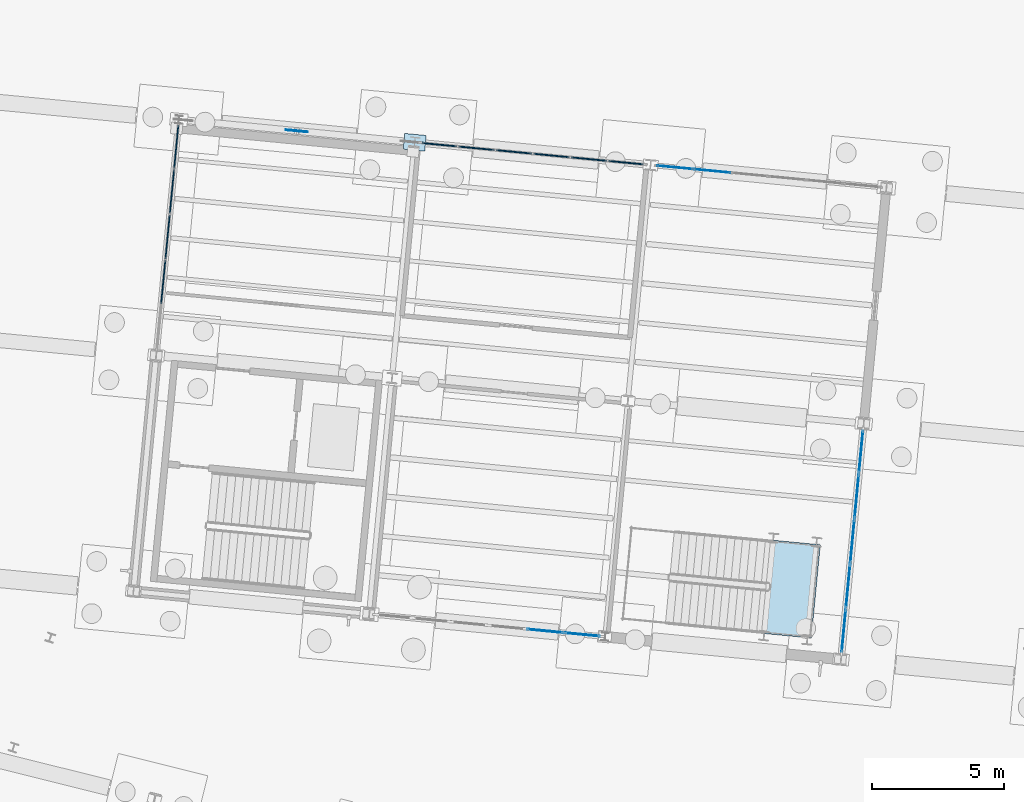
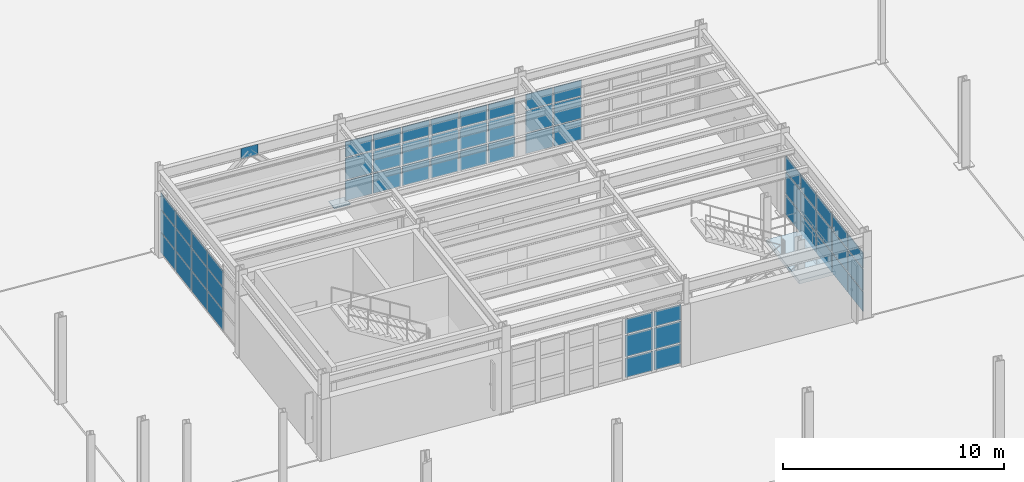
# One storey, part 66 of 108: 59 plates, 1 slab, 6 elements without a shape of their own.
"""IFC4 building model written with IfcOpenShell, lengths in metres."""

from ifc_helpers import new_model, si_unit, direction, frame, origin, origin_2d, place, context, subcontext, project, spatial, polyline, rectangle, outline, extrude, material, layer, layer_set, type_object, element, aggregate, save


model = new_model("IFC4")

# Units and contexts
model_context = context("Model", 3, precision=1e-05, world=origin(), true_north=direction((0.0, 1.0)))
body_context = subcontext(model_context, "Body", "Model", "MODEL_VIEW")
ifc_project = project(units=[si_unit("LENGTHUNIT", "METRE"), si_unit("AREAUNIT", "SQUARE_METRE"), si_unit("VOLUMEUNIT", "CUBIC_METRE"), si_unit("PLANEANGLEUNIT", "RADIAN"), si_unit("MASSUNIT", "GRAM", prefix="KILO")], contexts=[model_context])

# Site, building, storey
site_placement = place(None, origin())
site = spatial("IfcSite", under=ifc_project, at=site_placement, CompositionType="ELEMENT")
building_placement = place(site_placement, origin())
building = spatial("IfcBuilding", under=site, at=building_placement, Name="Vireo Bluff Cable Station", CompositionType="ELEMENT")
storey_placement = place(building_placement, origin())
storey = spatial("IfcBuildingStorey", under=building, at=storey_placement, Name="L00", CompositionType="ELEMENT", Elevation=0.0)

# Plate
ifc_material_1 = material(Name="Steel ASTM A572 Gr. 50", Category="steel")
ifc_layer_1 = layer(ifc_material_1, 0.052001953125, Name="Steel ASTM A572 Gr. 50")
ifc_layer_set_1 = layer_set([ifc_layer_1], Name="Steel ASTM A572 Gr. 50")
plate_type_1 = type_object("IfcPlateType", Name="BASEPLATE-820X600X52", PredefinedType="SHEET", material=ifc_layer_set_1)
plate_1_placement = place(storey_placement, frame((78.421875, 84.058349609375, 0.0), z_axis=(0.0, 0.0, 1.0), x_axis=(0.995396198367, -0.09584575252, 0.0)))
element("IfcPlate", 1, at=plate_1_placement, inside=storey, type_object=plate_type_1, Name="V3 column baseplate 127", PredefinedType="SHEET", context=body_context, shape_type="SweptSolid", body=[
    extrude(rectangle(XDim=0.820068359375, YDim=0.60009765625, at=origin_2d()), origin(), (0.0, 0.0, 1.0), 0.052001953125),
])

# Curtain wall, plates
ifc_material_2 = material(Name="Anodized Aluminium 6063-T6", Category="aluminium")
ifc_layer_2 = layer(ifc_material_2, 0.179931640625, Name="Anodized Aluminium 6063-T6")
ifc_layer_set_2 = layer_set([ifc_layer_2], Name="Anodized Aluminium 6063-T6")
curtain_wall_type_1 = type_object("IfcCurtainWallType", Name="CW-UNIT-1500", PredefinedType="USERDEFINED", material=ifc_layer_set_2)
curtain_wall_1_placement = place(storey_placement, origin())
curtain_wall_1 = element("IfcCurtainWall", 2, at=curtain_wall_1_placement, inside=storey, type_object=curtain_wall_type_1, Name="V3 L00 north curtain wall CW-070", ObjectType="UNITISED CURTAIN WALL", PredefinedType="USERDEFINED")
ifc_material_3 = material(Name="Laminated Low-E Insulated Glass", Category="glass")
ifc_layer_3 = layer(ifc_material_3, 0.028076171875, Name="Laminated Low-E Insulated Glass")
ifc_layer_set_3 = layer_set([ifc_layer_3], Name="Laminated Low-E Insulated Glass")
plate_type_2 = type_object("IfcPlateType", Name="CWP-28-1", PredefinedType="CURTAIN_PANEL", material=ifc_layer_set_3)
plate_2_placement = place(storey_placement, frame((88.3095703125, 83.106201171875, 0.06005859375), z_axis=(0.0, 0.0, 1.0), x_axis=(0.995396205524, -0.095845678199, 0.0)))
plate_2 = element("IfcPlate", 3, at=plate_2_placement, type_object=plate_type_2, Name="CW-070 panel 1.1", PredefinedType="CURTAIN_PANEL", context=body_context, shape_type="SweptSolid", body=[
    extrude(rectangle(XDim=1.342041015625, YDim=0.028076171875, at=origin_2d()), origin(), (0.0, 0.0, 1.0), 1.10009765625),
])
plate_3_placement = place(storey_placement, frame((88.3095703125, 83.106201171875, 1.22021484375), z_axis=(0.0, 0.0, 1.0), x_axis=(0.995396205524, -0.095845678199, 0.0)))
plate_3 = element("IfcPlate", 4, at=plate_3_placement, type_object=plate_type_2, Name="CW-070 panel 1.2", PredefinedType="CURTAIN_PANEL", context=body_context, shape_type="SweptSolid", body=[
    extrude(rectangle(XDim=1.342041015625, YDim=0.028076171875, at=origin_2d()), origin(), (0.0, 0.0, 1.0), 1.197998046875),
])
plate_4_placement = place(storey_placement, frame((88.3095703125, 83.106201171875, 2.47802734375), z_axis=(0.0, 0.0, 1.0), x_axis=(0.995396205524, -0.095845678199, 0.0)))
plate_4 = element("IfcPlate", 5, at=plate_4_placement, type_object=plate_type_2, Name="CW-070 panel 1.3", PredefinedType="CURTAIN_PANEL", context=body_context, shape_type="SweptSolid", body=[
    extrude(rectangle(XDim=1.342041015625, YDim=0.028076171875, at=origin_2d()), origin(), (0.0, 0.0, 1.0), 0.862060546875),
])
plate_5_placement = place(storey_placement, frame((89.72021484375, 82.970458984375, 0.06005859375), z_axis=(0.0, 0.0, 1.0), x_axis=(0.995396205524, -0.095845678199, 0.0)))
plate_5 = element("IfcPlate", 6, at=plate_5_placement, type_object=plate_type_2, Name="CW-070 panel 2.1", PredefinedType="CURTAIN_PANEL", context=body_context, shape_type="SweptSolid", body=[
    extrude(rectangle(XDim=1.3720703125, YDim=0.028076171875, at=origin_2d()), origin(), (0.0, 0.0, 1.0), 1.10009765625),
])
plate_6_placement = place(storey_placement, frame((89.72021484375, 82.970458984375, 1.22021484375), z_axis=(0.0, 0.0, 1.0), x_axis=(0.995396205524, -0.095845678199, 0.0)))
plate_6 = element("IfcPlate", 7, at=plate_6_placement, type_object=plate_type_2, Name="CW-070 panel 2.2", PredefinedType="CURTAIN_PANEL", context=body_context, shape_type="SweptSolid", body=[
    extrude(rectangle(XDim=1.3720703125, YDim=0.028076171875, at=origin_2d()), origin(), (0.0, 0.0, 1.0), 1.197998046875),
])
plate_7_placement = place(storey_placement, frame((89.72021484375, 82.970458984375, 2.47802734375), z_axis=(0.0, 0.0, 1.0), x_axis=(0.995396205524, -0.095845678199, 0.0)))
plate_7 = element("IfcPlate", 8, at=plate_7_placement, type_object=plate_type_2, Name="CW-070 panel 2.3", PredefinedType="CURTAIN_PANEL", context=body_context, shape_type="SweptSolid", body=[
    extrude(rectangle(XDim=1.3720703125, YDim=0.028076171875, at=origin_2d()), origin(), (0.0, 0.0, 1.0), 0.862060546875),
])
aggregate(curtain_wall_1, [plate_2, plate_3, plate_4, plate_5, plate_6, plate_7])

ifc_layer_4 = layer(ifc_material_2, 0.179931640625, Name="Anodized Aluminium 6063-T6")
ifc_layer_set_4 = layer_set([ifc_layer_4], Name="Anodized Aluminium 6063-T6")
curtain_wall_type_2 = type_object("IfcCurtainWallType", Name="CW-UNIT-1650", PredefinedType="USERDEFINED", material=ifc_layer_set_4)
curtain_wall_2_placement = place(storey_placement, origin())
curtain_wall_2 = element("IfcCurtainWall", 9, at=curtain_wall_2_placement, inside=storey, type_object=curtain_wall_type_2, Name="V3 L00 east curtain wall CW-071", ObjectType="UNITISED CURTAIN WALL", PredefinedType="USERDEFINED")
ifc_layer_5 = layer(ifc_material_3, 0.031982421875, Name="Laminated Low-E Insulated Glass")
ifc_layer_set_5 = layer_set([ifc_layer_5], Name="Laminated Low-E Insulated Glass")
plate_type_3 = type_object("IfcPlateType", Name="CWP-32-2", PredefinedType="CURTAIN_PANEL", material=ifc_layer_set_5)
plate_8_placement = place(storey_placement, frame((95.372802734375, 72.29931640625, 0.080078125), z_axis=(0.0, 0.0, 1.0), x_axis=(-0.095845836796, -0.995396190252, 0.0)))
plate_8 = element("IfcPlate", 10, at=plate_8_placement, type_object=plate_type_3, Name="CW-071 panel 1.1", PredefinedType="CURTAIN_PANEL", context=body_context, shape_type="SweptSolid", body=[
    extrude(rectangle(XDim=1.59765625, YDim=0.031982421875, at=origin_2d()), origin(), (0.0, 0.0, 1.0), 1.070068359375),
])
plate_9_placement = place(storey_placement, frame((95.372802734375, 72.29931640625, 1.22998046875), z_axis=(0.0, 0.0, 1.0), x_axis=(-0.095845836796, -0.995396190252, 0.0)))
plate_9 = element("IfcPlate", 11, at=plate_9_placement, type_object=plate_type_3, Name="CW-071 panel 1.2", PredefinedType="CURTAIN_PANEL", context=body_context, shape_type="SweptSolid", body=[
    extrude(rectangle(XDim=1.59765625, YDim=0.031982421875, at=origin_2d()), origin(), (0.0, 0.0, 1.0), 1.177978515625),
])
plate_10_placement = place(storey_placement, frame((95.372802734375, 72.29931640625, 2.488037109375), z_axis=(0.0, 0.0, 1.0), x_axis=(-0.095845836796, -0.995396190252, 0.0)))
plate_10 = element("IfcPlate", 12, at=plate_10_placement, type_object=plate_type_3, Name="CW-071 panel 1.3", PredefinedType="CURTAIN_PANEL", context=body_context, shape_type="SweptSolid", body=[
    extrude(rectangle(XDim=1.59765625, YDim=0.031982421875, at=origin_2d()), origin(), (0.0, 0.0, 1.0), 0.83203125),
])
plate_11_placement = place(storey_placement, frame((95.210205078125, 70.609619140625, 0.080078125), z_axis=(0.0, 0.0, 1.0), x_axis=(-0.095845836796, -0.995396190252, 0.0)))
plate_11 = element("IfcPlate", 13, at=plate_11_placement, type_object=plate_type_3, Name="CW-071 panel 2.1", PredefinedType="CURTAIN_PANEL", context=body_context, shape_type="SweptSolid", body=[
    extrude(rectangle(XDim=1.6376953125, YDim=0.031982421875, at=origin_2d()), origin(), (0.0, 0.0, 1.0), 1.070068359375),
])
plate_12_placement = place(storey_placement, frame((95.210205078125, 70.609619140625, 1.22998046875), z_axis=(0.0, 0.0, 1.0), x_axis=(-0.095845836796, -0.995396190252, 0.0)))
plate_12 = element("IfcPlate", 14, at=plate_12_placement, type_object=plate_type_3, Name="CW-071 panel 2.2", PredefinedType="CURTAIN_PANEL", context=body_context, shape_type="SweptSolid", body=[
    extrude(rectangle(XDim=1.6376953125, YDim=0.031982421875, at=origin_2d()), origin(), (0.0, 0.0, 1.0), 1.177978515625),
])
plate_13_placement = place(storey_placement, frame((95.210205078125, 70.609619140625, 2.488037109375), z_axis=(0.0, 0.0, 1.0), x_axis=(-0.095845836796, -0.995396190252, 0.0)))
plate_13 = element("IfcPlate", 15, at=plate_13_placement, type_object=plate_type_3, Name="CW-071 panel 2.3", PredefinedType="CURTAIN_PANEL", context=body_context, shape_type="SweptSolid", body=[
    extrude(rectangle(XDim=1.6376953125, YDim=0.031982421875, at=origin_2d()), origin(), (0.0, 0.0, 1.0), 0.83203125),
])
plate_14_placement = place(storey_placement, frame((95.04541015625, 68.89990234375, 0.080078125), z_axis=(0.0, 0.0, 1.0), x_axis=(-0.095845836796, -0.995396190252, 0.0)))
plate_14 = element("IfcPlate", 16, at=plate_14_placement, type_object=plate_type_3, Name="CW-071 panel 3.1", PredefinedType="CURTAIN_PANEL", context=body_context, shape_type="SweptSolid", body=[
    extrude(rectangle(XDim=1.6376953125, YDim=0.031982421875, at=origin_2d()), origin(), (0.0, 0.0, 1.0), 1.070068359375),
])
plate_15_placement = place(storey_placement, frame((95.04541015625, 68.89990234375, 1.22998046875), z_axis=(0.0, 0.0, 1.0), x_axis=(-0.095845836796, -0.995396190252, 0.0)))
plate_15 = element("IfcPlate", 17, at=plate_15_placement, type_object=plate_type_3, Name="CW-071 panel 3.2", PredefinedType="CURTAIN_PANEL", context=body_context, shape_type="SweptSolid", body=[
    extrude(rectangle(XDim=1.6376953125, YDim=0.031982421875, at=origin_2d()), origin(), (0.0, 0.0, 1.0), 1.177978515625),
])
plate_16_placement = place(storey_placement, frame((95.04541015625, 68.89990234375, 2.488037109375), z_axis=(0.0, 0.0, 1.0), x_axis=(-0.095845836796, -0.995396190252, 0.0)))
plate_16 = element("IfcPlate", 18, at=plate_16_placement, type_object=plate_type_3, Name="CW-071 panel 3.3", PredefinedType="CURTAIN_PANEL", context=body_context, shape_type="SweptSolid", body=[
    extrude(rectangle(XDim=1.6376953125, YDim=0.031982421875, at=origin_2d()), origin(), (0.0, 0.0, 1.0), 0.83203125),
])
plate_17_placement = place(storey_placement, frame((94.880859375, 67.190185546875, 0.080078125), z_axis=(0.0, 0.0, 1.0), x_axis=(-0.095845836796, -0.995396190252, 0.0)))
plate_17 = element("IfcPlate", 19, at=plate_17_placement, type_object=plate_type_3, Name="CW-071 panel 4.1", PredefinedType="CURTAIN_PANEL", context=body_context, shape_type="SweptSolid", body=[
    extrude(rectangle(XDim=1.6376953125, YDim=0.031982421875, at=origin_2d()), origin(), (0.0, 0.0, 1.0), 1.070068359375),
])
plate_18_placement = place(storey_placement, frame((94.880859375, 67.190185546875, 1.22998046875), z_axis=(0.0, 0.0, 1.0), x_axis=(-0.095845836796, -0.995396190252, 0.0)))
plate_18 = element("IfcPlate", 20, at=plate_18_placement, type_object=plate_type_3, Name="CW-071 panel 4.2", PredefinedType="CURTAIN_PANEL", context=body_context, shape_type="SweptSolid", body=[
    extrude(rectangle(XDim=1.6376953125, YDim=0.031982421875, at=origin_2d()), origin(), (0.0, 0.0, 1.0), 1.177978515625),
])
plate_19_placement = place(storey_placement, frame((94.880859375, 67.190185546875, 2.488037109375), z_axis=(0.0, 0.0, 1.0), x_axis=(-0.095845836796, -0.995396190252, 0.0)))
plate_19 = element("IfcPlate", 21, at=plate_19_placement, type_object=plate_type_3, Name="CW-071 panel 4.3", PredefinedType="CURTAIN_PANEL", context=body_context, shape_type="SweptSolid", body=[
    extrude(rectangle(XDim=1.6376953125, YDim=0.031982421875, at=origin_2d()), origin(), (0.0, 0.0, 1.0), 0.83203125),
])
plate_20_placement = place(storey_placement, frame((94.71826171875, 65.500244140625, 0.080078125), z_axis=(0.0, 0.0, 1.0), x_axis=(-0.095845836796, -0.995396190252, 0.0)))
plate_20 = element("IfcPlate", 22, at=plate_20_placement, type_object=plate_type_3, Name="CW-071 panel 5.1", PredefinedType="CURTAIN_PANEL", context=body_context, shape_type="SweptSolid", body=[
    extrude(rectangle(XDim=1.59765625, YDim=0.031982421875, at=origin_2d()), origin(), (0.0, 0.0, 1.0), 1.070068359375),
])
plate_21_placement = place(storey_placement, frame((94.71826171875, 65.500244140625, 1.22998046875), z_axis=(0.0, 0.0, 1.0), x_axis=(-0.095845836796, -0.995396190252, 0.0)))
plate_21 = element("IfcPlate", 23, at=plate_21_placement, type_object=plate_type_3, Name="CW-071 panel 5.2", PredefinedType="CURTAIN_PANEL", context=body_context, shape_type="SweptSolid", body=[
    extrude(rectangle(XDim=1.59765625, YDim=0.031982421875, at=origin_2d()), origin(), (0.0, 0.0, 1.0), 1.177978515625),
])
plate_22_placement = place(storey_placement, frame((94.71826171875, 65.500244140625, 2.488037109375), z_axis=(0.0, 0.0, 1.0), x_axis=(-0.095845836796, -0.995396190252, 0.0)))
plate_22 = element("IfcPlate", 24, at=plate_22_placement, type_object=plate_type_3, Name="CW-071 panel 5.3", PredefinedType="CURTAIN_PANEL", context=body_context, shape_type="SweptSolid", body=[
    extrude(rectangle(XDim=1.59765625, YDim=0.031982421875, at=origin_2d()), origin(), (0.0, 0.0, 1.0), 0.83203125),
])
aggregate(curtain_wall_2, [plate_8, plate_9, plate_10, plate_11, plate_12, plate_13, plate_14, plate_15, plate_16, plate_17, plate_18, plate_19, plate_20, plate_21, plate_22])

curtain_wall_3_placement = place(storey_placement, origin())
curtain_wall_3 = element("IfcCurtainWall", 25, at=curtain_wall_3_placement, inside=storey, type_object=curtain_wall_type_1, Name="V3 L00 south curtain wall CW-067", ObjectType="UNITISED CURTAIN WALL", PredefinedType="USERDEFINED")
ifc_layer_6 = layer(ifc_material_3, 0.035888671875, Name="Laminated Low-E Insulated Glass")
ifc_layer_set_6 = layer_set([ifc_layer_6], Name="Laminated Low-E Insulated Glass")
plate_type_4 = type_object("IfcPlateType", Name="CWP-36-3", PredefinedType="CURTAIN_PANEL", material=ifc_layer_set_6)
plate_23_placement = place(storey_placement, frame((84.7880859375, 65.362060546875, 0.080078125), z_axis=(0.0, 0.0, 1.0), x_axis=(-0.995396201092, 0.09584572422, 0.0)))
plate_23 = element("IfcPlate", 26, at=plate_23_placement, type_object=plate_type_4, Name="CW-067 panel 1.1", PredefinedType="CURTAIN_PANEL", context=body_context, shape_type="SweptSolid", body=[
    extrude(rectangle(XDim=1.32421875, YDim=0.035888671875, at=origin_2d()), origin(), (0.0, 0.0, 1.0), 1.070068359375),
])
plate_24_placement = place(storey_placement, frame((84.7880859375, 65.362060546875, 1.22998046875), z_axis=(0.0, 0.0, 1.0), x_axis=(-0.995396201092, 0.09584572422, 0.0)))
plate_24 = element("IfcPlate", 27, at=plate_24_placement, type_object=plate_type_4, Name="CW-067 panel 1.2", PredefinedType="CURTAIN_PANEL", context=body_context, shape_type="SweptSolid", body=[
    extrude(rectangle(XDim=1.32421875, YDim=0.035888671875, at=origin_2d()), origin(), (0.0, 0.0, 1.0), 1.177978515625),
])
plate_25_placement = place(storey_placement, frame((84.7880859375, 65.362060546875, 2.488037109375), z_axis=(0.0, 0.0, 1.0), x_axis=(-0.995396201092, 0.09584572422, 0.0)))
plate_25 = element("IfcPlate", 28, at=plate_25_placement, type_object=plate_type_4, Name="CW-067 panel 1.3", PredefinedType="CURTAIN_PANEL", context=body_context, shape_type="SweptSolid", body=[
    extrude(rectangle(XDim=1.32421875, YDim=0.035888671875, at=origin_2d()), origin(), (0.0, 0.0, 1.0), 0.83203125),
])
plate_26_placement = place(storey_placement, frame((83.370361328125, 65.498779296875, 0.080078125), z_axis=(0.0, 0.0, 1.0), x_axis=(-0.995396201092, 0.09584572422, 0.0)))
plate_26 = element("IfcPlate", 29, at=plate_26_placement, type_object=plate_type_4, Name="CW-067 panel 2.1", PredefinedType="CURTAIN_PANEL", context=body_context, shape_type="SweptSolid", body=[
    extrude(rectangle(XDim=1.3642578125, YDim=0.035888671875, at=origin_2d()), origin(), (0.0, 0.0, 1.0), 1.070068359375),
])
plate_27_placement = place(storey_placement, frame((83.370361328125, 65.498779296875, 1.22998046875), z_axis=(0.0, 0.0, 1.0), x_axis=(-0.995396201092, 0.09584572422, 0.0)))
plate_27 = element("IfcPlate", 30, at=plate_27_placement, type_object=plate_type_4, Name="CW-067 panel 2.2", PredefinedType="CURTAIN_PANEL", context=body_context, shape_type="SweptSolid", body=[
    extrude(rectangle(XDim=1.3642578125, YDim=0.035888671875, at=origin_2d()), origin(), (0.0, 0.0, 1.0), 1.177978515625),
])
plate_28_placement = place(storey_placement, frame((83.370361328125, 65.498779296875, 2.488037109375), z_axis=(0.0, 0.0, 1.0), x_axis=(-0.995396201092, 0.09584572422, 0.0)))
plate_28 = element("IfcPlate", 31, at=plate_28_placement, type_object=plate_type_4, Name="CW-067 panel 2.3", PredefinedType="CURTAIN_PANEL", context=body_context, shape_type="SweptSolid", body=[
    extrude(rectangle(XDim=1.3642578125, YDim=0.035888671875, at=origin_2d()), origin(), (0.0, 0.0, 1.0), 0.83203125),
])
aggregate(curtain_wall_3, [plate_23, plate_24, plate_25, plate_26, plate_27, plate_28])

curtain_wall_4_placement = place(storey_placement, origin())
curtain_wall_4 = element("IfcCurtainWall", 32, at=curtain_wall_4_placement, inside=storey, type_object=curtain_wall_type_2, Name="V3 L00 west curtain wall CW-068", ObjectType="UNITISED CURTAIN WALL", PredefinedType="USERDEFINED")
ifc_material_4 = material(Name="Insulated Spandrel Glass Panel", Category="glass")
ifc_layer_7 = layer(ifc_material_4, 0.0419921875, Name="Insulated Spandrel Glass Panel")
ifc_layer_set_7 = layer_set([ifc_layer_7], Name="Insulated Spandrel Glass Panel")
plate_type_5 = type_object("IfcPlateType", Name="CWP-42-4", PredefinedType="CURTAIN_PANEL", material=ifc_layer_set_7)
plate_29_placement = place(storey_placement, frame((68.869140625, 78.75048828125, 0.06494140625), z_axis=(0.0, 0.0, 1.0), x_axis=(0.095845740533, 0.995396199521, 0.0)))
plate_29 = element("IfcPlate", 33, at=plate_29_placement, type_object=plate_type_5, Name="CW-068 panel 2.1", PredefinedType="CURTAIN_PANEL", context=body_context, shape_type="SweptSolid", body=[
    extrude(rectangle(XDim=1.661865234375, YDim=0.0419921875, at=origin_2d()), origin(), (0.0, 0.0, 1.0), 1.092529296875),
])
plate_30_placement = place(storey_placement, frame((68.869140625, 78.75048828125, 1.22265625), z_axis=(0.0, 0.0, 1.0), x_axis=(0.095845740533, 0.995396199521, 0.0)))
plate_30 = element("IfcPlate", 34, at=plate_30_placement, type_object=plate_type_5, Name="CW-068 panel 2.2", PredefinedType="CURTAIN_PANEL", context=body_context, shape_type="SweptSolid", body=[
    extrude(rectangle(XDim=1.661865234375, YDim=0.0419921875, at=origin_2d()), origin(), (0.0, 0.0, 1.0), 1.193115234375),
])
plate_31_placement = place(storey_placement, frame((68.869140625, 78.75048828125, 2.48046875), z_axis=(0.0, 0.0, 1.0), x_axis=(0.095845740533, 0.995396199521, 0.0)))
plate_31 = element("IfcPlate", 35, at=plate_31_placement, type_object=plate_type_5, Name="CW-068 panel 2.3", PredefinedType="CURTAIN_PANEL", context=body_context, shape_type="SweptSolid", body=[
    extrude(rectangle(XDim=1.661865234375, YDim=0.0419921875, at=origin_2d()), origin(), (0.0, 0.0, 1.0), 0.8544921875),
])
plate_32_placement = place(storey_placement, frame((69.03466796875, 80.46923828125, 0.06494140625), z_axis=(0.0, 0.0, 1.0), x_axis=(0.095845740533, 0.995396199521, 0.0)))
plate_32 = element("IfcPlate", 36, at=plate_32_placement, type_object=plate_type_5, Name="CW-068 panel 3.1", PredefinedType="CURTAIN_PANEL", context=body_context, shape_type="SweptSolid", body=[
    extrude(rectangle(XDim=1.661865234375, YDim=0.0419921875, at=origin_2d()), origin(), (0.0, 0.0, 1.0), 1.092529296875),
])
plate_33_placement = place(storey_placement, frame((69.03466796875, 80.46923828125, 1.22265625), z_axis=(0.0, 0.0, 1.0), x_axis=(0.095845740533, 0.995396199521, 0.0)))
plate_33 = element("IfcPlate", 37, at=plate_33_placement, type_object=plate_type_5, Name="CW-068 panel 3.2", PredefinedType="CURTAIN_PANEL", context=body_context, shape_type="SweptSolid", body=[
    extrude(rectangle(XDim=1.661865234375, YDim=0.0419921875, at=origin_2d()), origin(), (0.0, 0.0, 1.0), 1.193115234375),
])
plate_34_placement = place(storey_placement, frame((69.03466796875, 80.46923828125, 2.48046875), z_axis=(0.0, 0.0, 1.0), x_axis=(0.095845740533, 0.995396199521, 0.0)))
plate_34 = element("IfcPlate", 38, at=plate_34_placement, type_object=plate_type_5, Name="CW-068 panel 3.3", PredefinedType="CURTAIN_PANEL", context=body_context, shape_type="SweptSolid", body=[
    extrude(rectangle(XDim=1.661865234375, YDim=0.0419921875, at=origin_2d()), origin(), (0.0, 0.0, 1.0), 0.8544921875),
])
plate_35_placement = place(storey_placement, frame((69.2001953125, 82.188232421875, 0.06494140625), z_axis=(0.0, 0.0, 1.0), x_axis=(0.095845740533, 0.995396199521, 0.0)))
plate_35 = element("IfcPlate", 39, at=plate_35_placement, type_object=plate_type_5, Name="CW-068 panel 4.1", PredefinedType="CURTAIN_PANEL", context=body_context, shape_type="SweptSolid", body=[
    extrude(rectangle(XDim=1.661865234375, YDim=0.0419921875, at=origin_2d()), origin(), (0.0, 0.0, 1.0), 1.092529296875),
])
plate_36_placement = place(storey_placement, frame((69.2001953125, 82.188232421875, 1.22265625), z_axis=(0.0, 0.0, 1.0), x_axis=(0.095845740533, 0.995396199521, 0.0)))
plate_36 = element("IfcPlate", 40, at=plate_36_placement, type_object=plate_type_5, Name="CW-068 panel 4.2", PredefinedType="CURTAIN_PANEL", context=body_context, shape_type="SweptSolid", body=[
    extrude(rectangle(XDim=1.661865234375, YDim=0.0419921875, at=origin_2d()), origin(), (0.0, 0.0, 1.0), 1.193115234375),
])
plate_37_placement = place(storey_placement, frame((69.2001953125, 82.188232421875, 2.48046875), z_axis=(0.0, 0.0, 1.0), x_axis=(0.095845740533, 0.995396199521, 0.0)))
plate_37 = element("IfcPlate", 41, at=plate_37_placement, type_object=plate_type_5, Name="CW-068 panel 4.3", PredefinedType="CURTAIN_PANEL", context=body_context, shape_type="SweptSolid", body=[
    extrude(rectangle(XDim=1.661865234375, YDim=0.0419921875, at=origin_2d()), origin(), (0.0, 0.0, 1.0), 0.8544921875),
])
plate_38_placement = place(storey_placement, frame((69.3642578125, 83.89111328125, 0.06494140625), z_axis=(0.0, 0.0, 1.0), x_axis=(0.095845740533, 0.995396199521, 0.0)))
plate_38 = element("IfcPlate", 42, at=plate_38_placement, type_object=plate_type_5, Name="CW-068 panel 5.1", PredefinedType="CURTAIN_PANEL", context=body_context, shape_type="SweptSolid", body=[
    extrude(rectangle(XDim=1.62939453125, YDim=0.0419921875, at=origin_2d()), origin(), (0.0, 0.0, 1.0), 1.092529296875),
])
plate_39_placement = place(storey_placement, frame((69.3642578125, 83.89111328125, 1.22265625), z_axis=(0.0, 0.0, 1.0), x_axis=(0.095845740533, 0.995396199521, 0.0)))
plate_39 = element("IfcPlate", 43, at=plate_39_placement, type_object=plate_type_5, Name="CW-068 panel 5.2", PredefinedType="CURTAIN_PANEL", context=body_context, shape_type="SweptSolid", body=[
    extrude(rectangle(XDim=1.62939453125, YDim=0.0419921875, at=origin_2d()), origin(), (0.0, 0.0, 1.0), 1.193115234375),
])
plate_40_placement = place(storey_placement, frame((69.3642578125, 83.89111328125, 2.48046875), z_axis=(0.0, 0.0, 1.0), x_axis=(0.095845740533, 0.995396199521, 0.0)))
plate_40 = element("IfcPlate", 44, at=plate_40_placement, type_object=plate_type_5, Name="CW-068 panel 5.3", PredefinedType="CURTAIN_PANEL", context=body_context, shape_type="SweptSolid", body=[
    extrude(rectangle(XDim=1.62939453125, YDim=0.0419921875, at=origin_2d()), origin(), (0.0, 0.0, 1.0), 0.8544921875),
])
aggregate(curtain_wall_4, [plate_29, plate_30, plate_31, plate_32, plate_33, plate_34, plate_35, plate_36, plate_37, plate_38, plate_39, plate_40])

ifc_layer_8 = layer(ifc_material_2, 0.179931640625, Name="Anodized Aluminium 6063-T6")
ifc_layer_set_8 = layer_set([ifc_layer_8], Name="Anodized Aluminium 6063-T6")
curtain_wall_type_3 = type_object("IfcCurtainWallType", Name="CW-UNIT-1400", PredefinedType="USERDEFINED", material=ifc_layer_set_8)
curtain_wall_5_placement = place(storey_placement, origin())
curtain_wall_5 = element("IfcCurtainWall", 45, at=curtain_wall_5_placement, inside=storey, type_object=curtain_wall_type_3, Name="V3 L00 north curtain wall CW-069", ObjectType="UNITISED CURTAIN WALL", PredefinedType="USERDEFINED")
ifc_layer_9 = layer(ifc_material_4, 0.048095703125, Name="Insulated Spandrel Glass Panel")
ifc_layer_set_9 = layer_set([ifc_layer_9], Name="Insulated Spandrel Glass Panel")
plate_type_6 = type_object("IfcPlateType", Name="CWP-48-5", PredefinedType="CURTAIN_PANEL", material=ifc_layer_set_9)
plate_41_placement = place(storey_placement, frame((79.357421875, 83.96826171875, 0.0751953125), z_axis=(0.0, 0.0, 1.0), x_axis=(0.995396205524, -0.095845678199, 0.0)))
plate_41 = element("IfcPlate", 46, at=plate_41_placement, type_object=plate_type_6, Name="CW-069 panel 1.1", PredefinedType="CURTAIN_PANEL", context=body_context, shape_type="SweptSolid", body=[
    extrude(rectangle(XDim=1.319580078125, YDim=0.048095703125, at=origin_2d()), origin(), (0.0, 0.0, 1.0), 1.077392578125),
])
plate_42_placement = place(storey_placement, frame((79.357421875, 83.96826171875, 1.2275390625), z_axis=(0.0, 0.0, 1.0), x_axis=(0.995396205524, -0.095845678199, 0.0)))
plate_42 = element("IfcPlate", 47, at=plate_42_placement, type_object=plate_type_6, Name="CW-069 panel 1.2", PredefinedType="CURTAIN_PANEL", context=body_context, shape_type="SweptSolid", body=[
    extrude(rectangle(XDim=1.319580078125, YDim=0.048095703125, at=origin_2d()), origin(), (0.0, 0.0, 1.0), 1.18310546875),
])
plate_43_placement = place(storey_placement, frame((79.357421875, 83.96826171875, 2.4853515625), z_axis=(0.0, 0.0, 1.0), x_axis=(0.995396205524, -0.095845678199, 0.0)))
plate_43 = element("IfcPlate", 48, at=plate_43_placement, type_object=plate_type_6, Name="CW-069 panel 1.3", PredefinedType="CURTAIN_PANEL", context=body_context, shape_type="SweptSolid", body=[
    extrude(rectangle(XDim=1.319580078125, YDim=0.048095703125, at=origin_2d()), origin(), (0.0, 0.0, 1.0), 0.839599609375),
])
plate_44_placement = place(storey_placement, frame((80.76416015625, 83.832763671875, 0.0751953125), z_axis=(0.0, 0.0, 1.0), x_axis=(0.995396205524, -0.095845678199, 0.0)))
plate_44 = element("IfcPlate", 49, at=plate_44_placement, type_object=plate_type_6, Name="CW-069 panel 2.1", PredefinedType="CURTAIN_PANEL", context=body_context, shape_type="SweptSolid", body=[
    extrude(rectangle(XDim=1.357177734375, YDim=0.048095703125, at=origin_2d()), origin(), (0.0, 0.0, 1.0), 1.077392578125),
])
plate_45_placement = place(storey_placement, frame((80.76416015625, 83.832763671875, 1.2275390625), z_axis=(0.0, 0.0, 1.0), x_axis=(0.995396205524, -0.095845678199, 0.0)))
plate_45 = element("IfcPlate", 50, at=plate_45_placement, type_object=plate_type_6, Name="CW-069 panel 2.2", PredefinedType="CURTAIN_PANEL", context=body_context, shape_type="SweptSolid", body=[
    extrude(rectangle(XDim=1.357177734375, YDim=0.048095703125, at=origin_2d()), origin(), (0.0, 0.0, 1.0), 1.18310546875),
])
plate_46_placement = place(storey_placement, frame((80.76416015625, 83.832763671875, 2.4853515625), z_axis=(0.0, 0.0, 1.0), x_axis=(0.995396205524, -0.095845678199, 0.0)))
plate_46 = element("IfcPlate", 51, at=plate_46_placement, type_object=plate_type_6, Name="CW-069 panel 2.3", PredefinedType="CURTAIN_PANEL", context=body_context, shape_type="SweptSolid", body=[
    extrude(rectangle(XDim=1.357177734375, YDim=0.048095703125, at=origin_2d()), origin(), (0.0, 0.0, 1.0), 0.839599609375),
])
plate_47_placement = place(storey_placement, frame((82.189697265625, 83.695556640625, 0.0751953125), z_axis=(0.0, 0.0, 1.0), x_axis=(0.995396205524, -0.095845678199, 0.0)))
plate_47 = element("IfcPlate", 52, at=plate_47_placement, type_object=plate_type_6, Name="CW-069 panel 3.1", PredefinedType="CURTAIN_PANEL", context=body_context, shape_type="SweptSolid", body=[
    extrude(rectangle(XDim=1.357177734375, YDim=0.048095703125, at=origin_2d()), origin(), (0.0, 0.0, 1.0), 1.077392578125),
])
plate_48_placement = place(storey_placement, frame((82.189697265625, 83.695556640625, 1.2275390625), z_axis=(0.0, 0.0, 1.0), x_axis=(0.995396205524, -0.095845678199, 0.0)))
plate_48 = element("IfcPlate", 53, at=plate_48_placement, type_object=plate_type_6, Name="CW-069 panel 3.2", PredefinedType="CURTAIN_PANEL", context=body_context, shape_type="SweptSolid", body=[
    extrude(rectangle(XDim=1.357177734375, YDim=0.048095703125, at=origin_2d()), origin(), (0.0, 0.0, 1.0), 1.18310546875),
])
plate_49_placement = place(storey_placement, frame((82.189697265625, 83.695556640625, 2.4853515625), z_axis=(0.0, 0.0, 1.0), x_axis=(0.995396205524, -0.095845678199, 0.0)))
plate_49 = element("IfcPlate", 54, at=plate_49_placement, type_object=plate_type_6, Name="CW-069 panel 3.3", PredefinedType="CURTAIN_PANEL", context=body_context, shape_type="SweptSolid", body=[
    extrude(rectangle(XDim=1.357177734375, YDim=0.048095703125, at=origin_2d()), origin(), (0.0, 0.0, 1.0), 0.839599609375),
])
plate_50_placement = place(storey_placement, frame((83.615234375, 83.558349609375, 0.0751953125), z_axis=(0.0, 0.0, 1.0), x_axis=(0.995396205524, -0.095845678199, 0.0)))
plate_50 = element("IfcPlate", 55, at=plate_50_placement, type_object=plate_type_6, Name="CW-069 panel 4.1", PredefinedType="CURTAIN_PANEL", context=body_context, shape_type="SweptSolid", body=[
    extrude(rectangle(XDim=1.357177734375, YDim=0.048095703125, at=origin_2d()), origin(), (0.0, 0.0, 1.0), 1.077392578125),
])
plate_51_placement = place(storey_placement, frame((83.615234375, 83.558349609375, 1.2275390625), z_axis=(0.0, 0.0, 1.0), x_axis=(0.995396205524, -0.095845678199, 0.0)))
plate_51 = element("IfcPlate", 56, at=plate_51_placement, type_object=plate_type_6, Name="CW-069 panel 4.2", PredefinedType="CURTAIN_PANEL", context=body_context, shape_type="SweptSolid", body=[
    extrude(rectangle(XDim=1.357177734375, YDim=0.048095703125, at=origin_2d()), origin(), (0.0, 0.0, 1.0), 1.18310546875),
])
plate_52_placement = place(storey_placement, frame((83.615234375, 83.558349609375, 2.4853515625), z_axis=(0.0, 0.0, 1.0), x_axis=(0.995396205524, -0.095845678199, 0.0)))
plate_52 = element("IfcPlate", 57, at=plate_52_placement, type_object=plate_type_6, Name="CW-069 panel 4.3", PredefinedType="CURTAIN_PANEL", context=body_context, shape_type="SweptSolid", body=[
    extrude(rectangle(XDim=1.357177734375, YDim=0.048095703125, at=origin_2d()), origin(), (0.0, 0.0, 1.0), 0.839599609375),
])
plate_53_placement = place(storey_placement, frame((85.04052734375, 83.421142578125, 0.0751953125), z_axis=(0.0, 0.0, 1.0), x_axis=(0.995396205524, -0.095845678199, 0.0)))
plate_53 = element("IfcPlate", 58, at=plate_53_placement, type_object=plate_type_6, Name="CW-069 panel 5.1", PredefinedType="CURTAIN_PANEL", context=body_context, shape_type="SweptSolid", body=[
    extrude(rectangle(XDim=1.357177734375, YDim=0.048095703125, at=origin_2d()), origin(), (0.0, 0.0, 1.0), 1.077392578125),
])
plate_54_placement = place(storey_placement, frame((85.04052734375, 83.421142578125, 1.2275390625), z_axis=(0.0, 0.0, 1.0), x_axis=(0.995396205524, -0.095845678199, 0.0)))
plate_54 = element("IfcPlate", 59, at=plate_54_placement, type_object=plate_type_6, Name="CW-069 panel 5.2", PredefinedType="CURTAIN_PANEL", context=body_context, shape_type="SweptSolid", body=[
    extrude(rectangle(XDim=1.357177734375, YDim=0.048095703125, at=origin_2d()), origin(), (0.0, 0.0, 1.0), 1.18310546875),
])
plate_55_placement = place(storey_placement, frame((85.04052734375, 83.421142578125, 2.4853515625), z_axis=(0.0, 0.0, 1.0), x_axis=(0.995396205524, -0.095845678199, 0.0)))
plate_55 = element("IfcPlate", 60, at=plate_55_placement, type_object=plate_type_6, Name="CW-069 panel 5.3", PredefinedType="CURTAIN_PANEL", context=body_context, shape_type="SweptSolid", body=[
    extrude(rectangle(XDim=1.357177734375, YDim=0.048095703125, at=origin_2d()), origin(), (0.0, 0.0, 1.0), 0.839599609375),
])
plate_56_placement = place(storey_placement, frame((86.447509765625, 83.28564453125, 0.0751953125), z_axis=(0.0, 0.0, 1.0), x_axis=(0.995396205524, -0.095845678199, 0.0)))
plate_56 = element("IfcPlate", 61, at=plate_56_placement, type_object=plate_type_6, Name="CW-069 panel 6.1", PredefinedType="CURTAIN_PANEL", context=body_context, shape_type="SweptSolid", body=[
    extrude(rectangle(XDim=1.319580078125, YDim=0.048095703125, at=origin_2d()), origin(), (0.0, 0.0, 1.0), 1.077392578125),
])
plate_57_placement = place(storey_placement, frame((86.447509765625, 83.28564453125, 1.2275390625), z_axis=(0.0, 0.0, 1.0), x_axis=(0.995396205524, -0.095845678199, 0.0)))
plate_57 = element("IfcPlate", 62, at=plate_57_placement, type_object=plate_type_6, Name="CW-069 panel 6.2", PredefinedType="CURTAIN_PANEL", context=body_context, shape_type="SweptSolid", body=[
    extrude(rectangle(XDim=1.319580078125, YDim=0.048095703125, at=origin_2d()), origin(), (0.0, 0.0, 1.0), 1.18310546875),
])
plate_58_placement = place(storey_placement, frame((86.447509765625, 83.28564453125, 2.4853515625), z_axis=(0.0, 0.0, 1.0), x_axis=(0.995396205524, -0.095845678199, 0.0)))
plate_58 = element("IfcPlate", 63, at=plate_58_placement, type_object=plate_type_6, Name="CW-069 panel 6.3", PredefinedType="CURTAIN_PANEL", context=body_context, shape_type="SweptSolid", body=[
    extrude(rectangle(XDim=1.319580078125, YDim=0.048095703125, at=origin_2d()), origin(), (0.0, 0.0, 1.0), 0.839599609375),
])
aggregate(curtain_wall_5, [plate_41, plate_42, plate_43, plate_44, plate_45, plate_46, plate_47, plate_48, plate_49, plate_50, plate_51, plate_52, plate_53, plate_54, plate_55, plate_56, plate_57, plate_58])

# Plate
ifc_layer_10 = layer(ifc_material_1, 0.035888671875, Name="Steel ASTM A572 Gr. 50")
ifc_layer_set_10 = layer_set([ifc_layer_10], Name="Steel ASTM A572 Gr. 50")
plate_type_7 = type_object("IfcPlateType", Name="GUSSET-840X580X36", PredefinedType="USERDEFINED", material=ifc_layer_set_10)
plate_59_placement = place(storey_placement, frame((73.942626953125, 84.48974609375, 3.889892578125), z_axis=(0.0, 0.0, 1.0), x_axis=(0.995396198367, -0.09584575252, 0.0)))
element("IfcPlate", 64, at=plate_59_placement, inside=storey, type_object=plate_type_7, Name="V3 L00 chevron gusset plate 139", ObjectType="GUSSET PLATE", PredefinedType="USERDEFINED", context=body_context, shape_type="SweptSolid", body=[
    extrude(rectangle(XDim=0.840087890625, YDim=0.035888671875, at=origin_2d()), origin(), (0.0, 0.0, 1.0), 0.580078125),
])

# Stair, slab
ifc_material_5 = material(Name="Concrete f'c 40 MPa", Category="concrete")
stair_type = type_object("IfcStairType", Name="STAIR-HT-1680", PredefinedType="HALF_TURN_STAIR", material=ifc_material_5)
stair_placement = place(storey_placement, origin())
stair = element("IfcStair", 65, at=stair_placement, inside=storey, type_object=stair_type, Name="L00 Feature Concourse Stair ST-11", PredefinedType="HALF_TURN_STAIR")
ifc_layer_11 = layer(ifc_material_5, 0.18994140625, Name="Concrete f'c 40 MPa")
ifc_layer_set_11 = layer_set([ifc_layer_11], Name="Concrete f'c 40 MPa")
slab_type = type_object("IfcSlabType", Name="LANDING-190", PredefinedType="LANDING", material=ifc_layer_set_11)
slab_placement = place(storey_placement, frame((0.0, 0.0, 2.199951171875)))
slab = element("IfcSlab", 66, at=slab_placement, type_object=slab_type, Name="ST-11 landing 1", PredefinedType="LANDING", context=body_context, shape_type="SweptSolid", body=[
    extrude(outline(polyline([(91.69384765625, 65.400390625), (93.486328125, 65.227783203125), (93.82763671875, 68.771484375), (92.03515625, 68.944091796875), (91.69384765625, 65.400390625)])), origin(), (0.0, 0.0, 1.0), 0.199951171875),
])
aggregate(stair, [slab])

save(model, "model.ifc")
